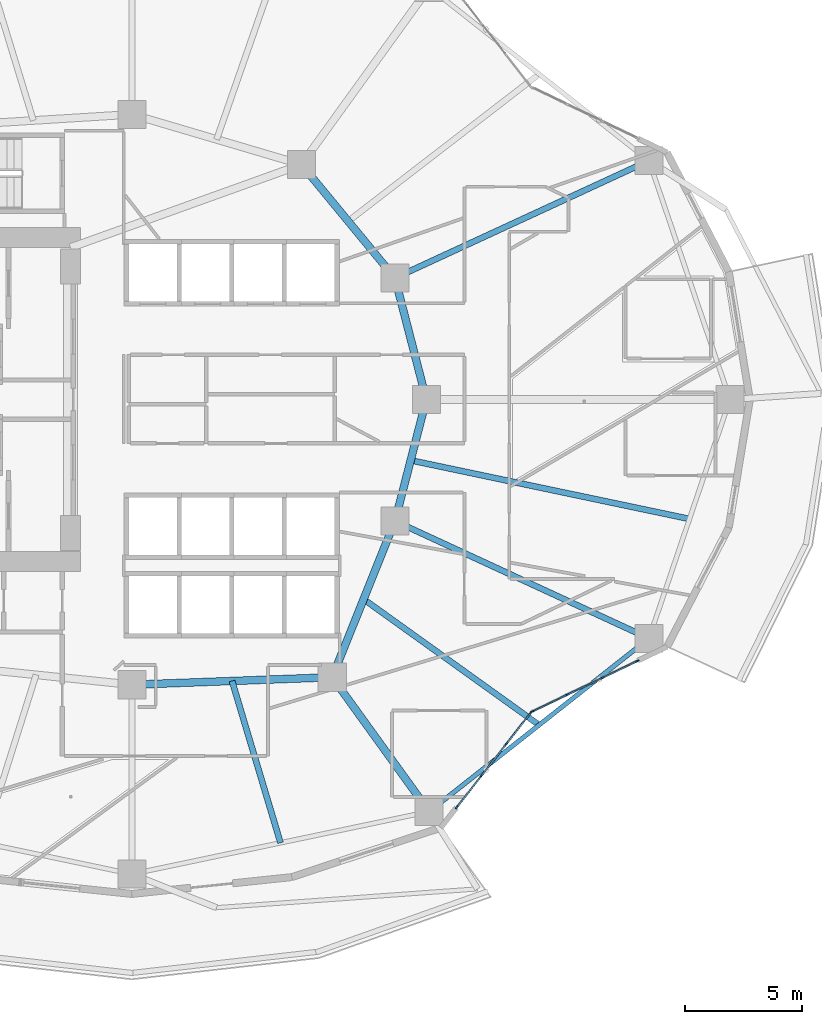
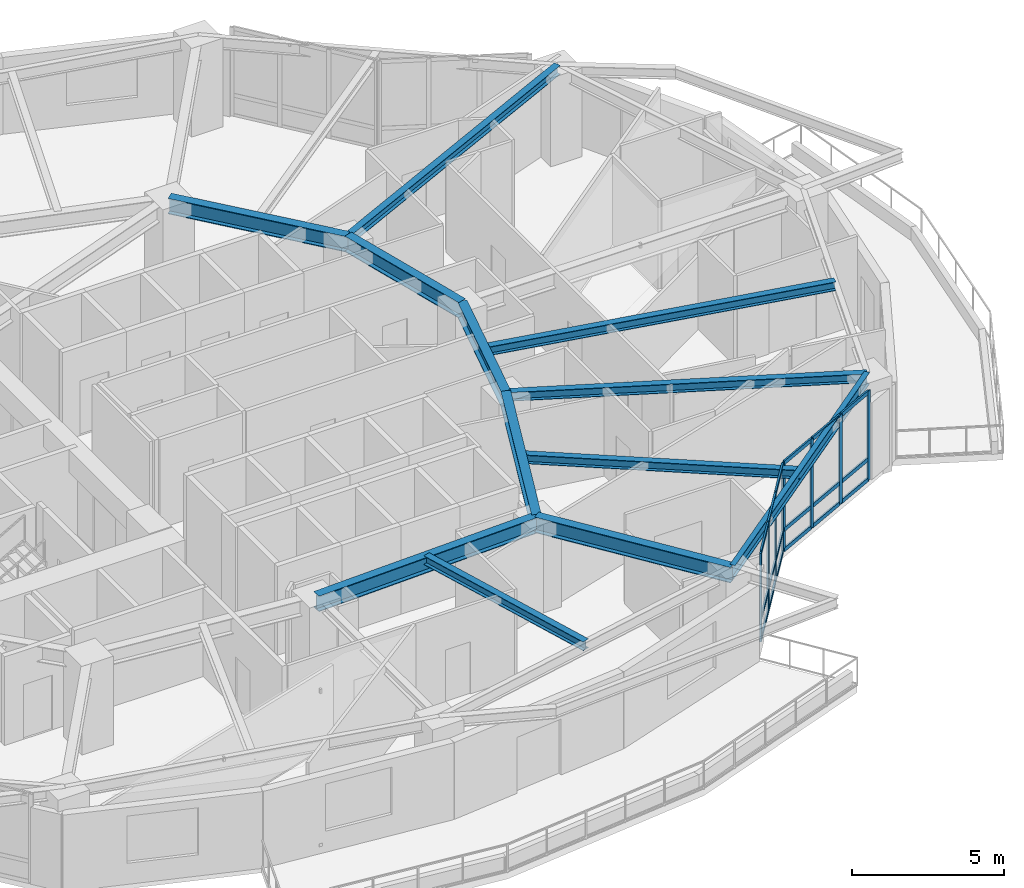
# One storey, part 4 of 19: 26 members, 12 beams, 2 elements without a shape of their own.
"""IFC4 building model written with IfcOpenShell, lengths in metres."""

from ifc_helpers import new_model, si_unit, direction, frame, origin, origin_2d, place, context, subcontext, project, spatial, rectangle, i_section, extrude, material, layer, layer_set, material_profile, profile_set, type_object, element, aggregate, save


model = new_model("IFC4")

# Units and contexts
model_context = context("Model", 3, precision=1e-05, world=origin(), true_north=direction((0.0, 1.0)))
body_context = subcontext(model_context, "Body", "Model", "MODEL_VIEW")
ifc_project = project(units=[si_unit("LENGTHUNIT", "METRE"), si_unit("AREAUNIT", "SQUARE_METRE"), si_unit("VOLUMEUNIT", "CUBIC_METRE"), si_unit("PLANEANGLEUNIT", "RADIAN"), si_unit("MASSUNIT", "GRAM", prefix="KILO")], contexts=[model_context])

# Site, building, storey
site_placement = place(None, origin())
site = spatial("IfcSite", under=ifc_project, at=site_placement, CompositionType="ELEMENT")
building_placement = place(site_placement, origin())
building = spatial("IfcBuilding", under=site, at=building_placement, Name="Kolvaren Gate Tower and Convention Centre", CompositionType="ELEMENT")
storey_placement = place(building_placement, frame((0.0, 0.0, 68.85009765625)))
storey = spatial("IfcBuildingStorey", under=building, at=storey_placement, Name="L16", CompositionType="ELEMENT", Elevation=68.85009765625)

# Curtain wall, members
ifc_material_1 = material(Name="Anodized Architectural Aluminium Alloy 6063-T6", Category="aluminium")
ifc_layer = layer(ifc_material_1, 0.159912109375)
ifc_layer_set = layer_set([ifc_layer], Name="Anodized Architectural Aluminium Alloy 6063-T6")
curtain_wall_type = type_object("IfcCurtainWallType", Name="CW-OFF-UNIT", PredefinedType="NOTDEFINED", material=ifc_layer_set)
curtain_wall_1_placement = place(storey_placement, origin())
curtain_wall_1 = element("IfcCurtainWall", 1, at=curtain_wall_1_placement, inside=storey, type_object=curtain_wall_type, Name="Tower L16 Unitised Curtain Wall CW-OFF-UNIT Bay 20", PredefinedType="NOTDEFINED")
ifc_material_profile_1 = material_profile(ifc_material_1, rectangle(XDim=0.06494140625, YDim=0.159912109375, at=origin_2d()), Name="CW-MEM-MUL-160")
ifc_profile_set_1 = profile_set([ifc_material_profile_1], Name="Anodized Architectural Aluminium Alloy 6063-T6")
member_type_1 = type_object("IfcMemberType", Name="CW-MEM-MUL-160", PredefinedType="MULLION", material=ifc_profile_set_1)
member_1_placement = place(storey_placement, frame((44.027099609375, 9.556396484375, 0.0), z_axis=(0.0, 0.0, 1.0), x_axis=(-0.787406322976, 0.61643432946, 0.0)))
member_1 = element("IfcMember", 2, at=member_1_placement, type_object=member_type_1, Name="CW-02 mullion 1", PredefinedType="MULLION", context=body_context, shape_type="SweptSolid", body=[
    extrude(rectangle(XDim=0.06494140625, YDim=0.159912109375, at=origin_2d()), origin(), (0.0, 0.0, 1.0), 3.56982421875),
])
member_2_placement = place(storey_placement, frame((45.079345703125, 10.900634765625, 0.0), z_axis=(0.0, 0.0, 1.0), x_axis=(-0.787406322976, 0.61643432946, 0.0)))
member_2 = element("IfcMember", 3, at=member_2_placement, type_object=member_type_1, Name="CW-02 mullion 2", PredefinedType="MULLION", context=body_context, shape_type="SweptSolid", body=[
    extrude(rectangle(XDim=0.06494140625, YDim=0.159912109375, at=origin_2d()), origin(), (0.0, 0.0, 1.0), 3.56982421875),
])
member_3_placement = place(storey_placement, frame((46.151611328125, 12.270263671875, 0.0), z_axis=(0.0, 0.0, 1.0), x_axis=(-0.787406322976, 0.61643432946, 0.0)))
member_3 = element("IfcMember", 4, at=member_3_placement, type_object=member_type_1, Name="CW-02 mullion 3", PredefinedType="MULLION", context=body_context, shape_type="SweptSolid", body=[
    extrude(rectangle(XDim=0.06494140625, YDim=0.159912109375, at=origin_2d()), origin(), (0.0, 0.0, 1.0), 3.56982421875),
])
member_4_placement = place(storey_placement, frame((47.203857421875, 13.6142578125, 0.0), z_axis=(0.0, 0.0, 1.0), x_axis=(-0.787406322976, 0.61643432946, 0.0)))
member_4 = element("IfcMember", 5, at=member_4_placement, type_object=member_type_1, Name="CW-02 mullion 4", PredefinedType="MULLION", context=body_context, shape_type="SweptSolid", body=[
    extrude(rectangle(XDim=0.06494140625, YDim=0.159912109375, at=origin_2d()), origin(), (0.0, 0.0, 1.0), 3.56982421875),
])

curtain_wall_2_placement = place(storey_placement, origin())
curtain_wall_2 = element("IfcCurtainWall", 6, at=curtain_wall_2_placement, inside=storey, type_object=curtain_wall_type, Name="Tower L16 Unitised Curtain Wall CW-OFF-UNIT Bay 21", PredefinedType="NOTDEFINED")
member_5_placement = place(storey_placement, frame((47.253173828125, 13.654052734375, 0.0), z_axis=(0.0, 0.0, 1.0), x_axis=(-0.433067077196, 0.901361695796, 0.0)))
member_5 = element("IfcMember", 7, at=member_5_placement, type_object=member_type_1, Name="CW-02 mullion 1", PredefinedType="MULLION", context=body_context, shape_type="SweptSolid", body=[
    extrude(rectangle(XDim=0.06494140625, YDim=0.159912109375, at=origin_2d()), origin(), (0.0, 0.0, 1.0), 3.56982421875),
])
member_6_placement = place(storey_placement, frame((48.7412109375, 14.368896484375, 0.0), z_axis=(0.0, 0.0, 1.0), x_axis=(-0.433067077196, 0.901361695796, 0.0)))
member_6 = element("IfcMember", 8, at=member_6_placement, type_object=member_type_1, Name="CW-02 mullion 2", PredefinedType="MULLION", context=body_context, shape_type="SweptSolid", body=[
    extrude(rectangle(XDim=0.06494140625, YDim=0.159912109375, at=origin_2d()), origin(), (0.0, 0.0, 1.0), 3.56982421875),
])
member_7_placement = place(storey_placement, frame((50.258544921875, 15.097900390625, 0.0), z_axis=(0.0, 0.0, 1.0), x_axis=(-0.433067077196, 0.901361695796, 0.0)))
member_7 = element("IfcMember", 9, at=member_7_placement, type_object=member_type_1, Name="CW-02 mullion 3", PredefinedType="MULLION", context=body_context, shape_type="SweptSolid", body=[
    extrude(rectangle(XDim=0.06494140625, YDim=0.159912109375, at=origin_2d()), origin(), (0.0, 0.0, 1.0), 3.56982421875),
])
member_8_placement = place(storey_placement, frame((51.74658203125, 15.812744140625, 0.0), z_axis=(0.0, 0.0, 1.0), x_axis=(-0.433067077196, 0.901361695796, 0.0)))
member_8 = element("IfcMember", 10, at=member_8_placement, type_object=member_type_1, Name="CW-02 mullion 4", PredefinedType="MULLION", context=body_context, shape_type="SweptSolid", body=[
    extrude(rectangle(XDim=0.06494140625, YDim=0.159912109375, at=origin_2d()), origin(), (0.0, 0.0, 1.0), 3.56982421875),
])

# Member
ifc_material_profile_2 = material_profile(ifc_material_1, rectangle(XDim=0.06494140625, YDim=0.159912109375, at=origin_2d()), Name="CW-MEM-TRN-160")
ifc_profile_set_2 = profile_set([ifc_material_profile_2], Name="Anodized Architectural Aluminium Alloy 6063-T6")
member_type_2 = type_object("IfcMemberType", Name="CW-MEM-TRN-160", PredefinedType="USERDEFINED", material=ifc_profile_set_2)
member_9_placement = place(storey_placement, frame((44.047119140625, 9.58203125, 0.032470703125), z_axis=(0.616428523412, 0.787410868304, 0.0), x_axis=(-0.787410868304, 0.616428523412, 0.0)))
member_9 = element("IfcMember", 11, at=member_9_placement, type_object=member_type_2, Name="CW-02 transom 1.1", ObjectType="TRANSOM", PredefinedType="USERDEFINED", context=body_context, shape_type="SweptSolid", body=[
    extrude(rectangle(XDim=0.06494140625, YDim=0.159912109375, at=origin_2d()), origin(), (0.0, 0.0, 1.0), 1.64208984375),
])

member_10_placement = place(storey_placement, frame((44.047119140625, 9.58203125, 0.849853515625), z_axis=(0.616428523412, 0.787410868304, 0.0), x_axis=(-0.787410868304, 0.616428523412, 0.0)))
member_10 = element("IfcMember", 12, at=member_10_placement, type_object=member_type_2, Name="CW-02 transom 1.2", ObjectType="TRANSOM", PredefinedType="USERDEFINED", context=body_context, shape_type="SweptSolid", body=[
    extrude(rectangle(XDim=0.06494140625, YDim=0.159912109375, at=origin_2d()), origin(), (0.0, 0.0, 1.0), 1.64208984375),
])

member_11_placement = place(storey_placement, frame((44.047119140625, 9.58203125, 3.537353515625), z_axis=(0.616428523412, 0.787410868304, 0.0), x_axis=(-0.787410868304, 0.616428523412, 0.0)))
member_11 = element("IfcMember", 13, at=member_11_placement, type_object=member_type_2, Name="CW-02 transom 1.3", ObjectType="TRANSOM", PredefinedType="USERDEFINED", context=body_context, shape_type="SweptSolid", body=[
    extrude(rectangle(XDim=0.06494140625, YDim=0.159912109375, at=origin_2d()), origin(), (0.0, 0.0, 1.0), 1.64208984375),
])

member_12_placement = place(storey_placement, frame((45.099365234375, 10.92626953125, 0.032470703125), z_axis=(0.616481234943, 0.787369599974, 0.0), x_axis=(-0.787369599974, 0.616481234943, 0.0)))
member_12 = element("IfcMember", 14, at=member_12_placement, type_object=member_type_2, Name="CW-02 transom 2.1", ObjectType="TRANSOM", PredefinedType="USERDEFINED", context=body_context, shape_type="SweptSolid", body=[
    extrude(rectangle(XDim=0.06494140625, YDim=0.159912109375, at=origin_2d()), origin(), (0.0, 0.0, 1.0), 1.67431640625),
])

member_13_placement = place(storey_placement, frame((45.099365234375, 10.92626953125, 0.849853515625), z_axis=(0.616481234943, 0.787369599974, 0.0), x_axis=(-0.787369599974, 0.616481234943, 0.0)))
member_13 = element("IfcMember", 15, at=member_13_placement, type_object=member_type_2, Name="CW-02 transom 2.2", ObjectType="TRANSOM", PredefinedType="USERDEFINED", context=body_context, shape_type="SweptSolid", body=[
    extrude(rectangle(XDim=0.06494140625, YDim=0.159912109375, at=origin_2d()), origin(), (0.0, 0.0, 1.0), 1.67431640625),
])

member_14_placement = place(storey_placement, frame((45.099365234375, 10.92626953125, 3.537353515625), z_axis=(0.616481234943, 0.787369599974, 0.0), x_axis=(-0.787369599974, 0.616481234943, 0.0)))
member_14 = element("IfcMember", 16, at=member_14_placement, type_object=member_type_2, Name="CW-02 transom 2.3", ObjectType="TRANSOM", PredefinedType="USERDEFINED", context=body_context, shape_type="SweptSolid", body=[
    extrude(rectangle(XDim=0.06494140625, YDim=0.159912109375, at=origin_2d()), origin(), (0.0, 0.0, 1.0), 1.67431640625),
])

member_15_placement = place(storey_placement, frame((46.171630859375, 12.2958984375, 0.032470703125), z_axis=(0.61650069609, 0.787354362228, 0.0), x_axis=(-0.787354362228, 0.61650069609, 0.0)))
member_15 = element("IfcMember", 17, at=member_15_placement, type_object=member_type_2, Name="CW-02 transom 3.1", ObjectType="TRANSOM", PredefinedType="USERDEFINED", context=body_context, shape_type="SweptSolid", body=[
    extrude(rectangle(XDim=0.06494140625, YDim=0.159912109375, at=origin_2d()), origin(), (0.0, 0.0, 1.0), 1.641845703125),
])

member_16_placement = place(storey_placement, frame((46.171630859375, 12.2958984375, 0.849853515625), z_axis=(0.61650069609, 0.787354362228, 0.0), x_axis=(-0.787354362228, 0.61650069609, 0.0)))
member_16 = element("IfcMember", 18, at=member_16_placement, type_object=member_type_2, Name="CW-02 transom 3.2", ObjectType="TRANSOM", PredefinedType="USERDEFINED", context=body_context, shape_type="SweptSolid", body=[
    extrude(rectangle(XDim=0.06494140625, YDim=0.159912109375, at=origin_2d()), origin(), (0.0, 0.0, 1.0), 1.641845703125),
])

member_17_placement = place(storey_placement, frame((46.171630859375, 12.2958984375, 3.537353515625), z_axis=(0.61650069609, 0.787354362228, 0.0), x_axis=(-0.787354362228, 0.61650069609, 0.0)))
member_17 = element("IfcMember", 19, at=member_17_placement, type_object=member_type_2, Name="CW-02 transom 3.3", ObjectType="TRANSOM", PredefinedType="USERDEFINED", context=body_context, shape_type="SweptSolid", body=[
    extrude(rectangle(XDim=0.06494140625, YDim=0.159912109375, at=origin_2d()), origin(), (0.0, 0.0, 1.0), 1.641845703125),
])

aggregate(curtain_wall_1, [member_1, member_2, member_3, member_4, member_9, member_10, member_11, member_12, member_13, member_14, member_15, member_16, member_17])

member_18_placement = place(storey_placement, frame((47.282470703125, 13.66796875, 0.032470703125), z_axis=(0.90136684843, 0.433056352628, 0.0), x_axis=(-0.433056352628, 0.90136684843, 0.0)))
member_18 = element("IfcMember", 20, at=member_18_placement, type_object=member_type_2, Name="CW-02 transom 1.1", ObjectType="TRANSOM", PredefinedType="USERDEFINED", context=body_context, shape_type="SweptSolid", body=[
    extrude(rectangle(XDim=0.06494140625, YDim=0.159912109375, at=origin_2d()), origin(), (0.0, 0.0, 1.0), 1.5859375),
])

member_19_placement = place(storey_placement, frame((47.282470703125, 13.66796875, 0.849853515625), z_axis=(0.90136684843, 0.433056352628, 0.0), x_axis=(-0.433056352628, 0.90136684843, 0.0)))
member_19 = element("IfcMember", 21, at=member_19_placement, type_object=member_type_2, Name="CW-02 transom 1.2", ObjectType="TRANSOM", PredefinedType="USERDEFINED", context=body_context, shape_type="SweptSolid", body=[
    extrude(rectangle(XDim=0.06494140625, YDim=0.159912109375, at=origin_2d()), origin(), (0.0, 0.0, 1.0), 1.5859375),
])

member_20_placement = place(storey_placement, frame((47.282470703125, 13.66796875, 3.537353515625), z_axis=(0.90136684843, 0.433056352628, 0.0), x_axis=(-0.433056352628, 0.90136684843, 0.0)))
member_20 = element("IfcMember", 22, at=member_20_placement, type_object=member_type_2, Name="CW-02 transom 1.3", ObjectType="TRANSOM", PredefinedType="USERDEFINED", context=body_context, shape_type="SweptSolid", body=[
    extrude(rectangle(XDim=0.06494140625, YDim=0.159912109375, at=origin_2d()), origin(), (0.0, 0.0, 1.0), 1.5859375),
])

member_21_placement = place(storey_placement, frame((48.7705078125, 14.383056640625, 0.032470703125), z_axis=(0.901405315808, 0.432976277217, 0.0), x_axis=(-0.432976277217, 0.901405315808, 0.0)))
member_21 = element("IfcMember", 23, at=member_21_placement, type_object=member_type_2, Name="CW-02 transom 2.1", ObjectType="TRANSOM", PredefinedType="USERDEFINED", context=body_context, shape_type="SweptSolid", body=[
    extrude(rectangle(XDim=0.06494140625, YDim=0.159912109375, at=origin_2d()), origin(), (0.0, 0.0, 1.0), 1.618408203125),
])

member_22_placement = place(storey_placement, frame((48.7705078125, 14.383056640625, 0.849853515625), z_axis=(0.901405315808, 0.432976277217, 0.0), x_axis=(-0.432976277217, 0.901405315808, 0.0)))
member_22 = element("IfcMember", 24, at=member_22_placement, type_object=member_type_2, Name="CW-02 transom 2.2", ObjectType="TRANSOM", PredefinedType="USERDEFINED", context=body_context, shape_type="SweptSolid", body=[
    extrude(rectangle(XDim=0.06494140625, YDim=0.159912109375, at=origin_2d()), origin(), (0.0, 0.0, 1.0), 1.618408203125),
])

member_23_placement = place(storey_placement, frame((48.7705078125, 14.383056640625, 3.537353515625), z_axis=(0.901405315808, 0.432976277217, 0.0), x_axis=(-0.432976277217, 0.901405315808, 0.0)))
member_23 = element("IfcMember", 25, at=member_23_placement, type_object=member_type_2, Name="CW-02 transom 2.3", ObjectType="TRANSOM", PredefinedType="USERDEFINED", context=body_context, shape_type="SweptSolid", body=[
    extrude(rectangle(XDim=0.06494140625, YDim=0.159912109375, at=origin_2d()), origin(), (0.0, 0.0, 1.0), 1.618408203125),
])

member_24_placement = place(storey_placement, frame((50.287841796875, 15.112060546875, 0.032470703125), z_axis=(0.90136684843, 0.433056352628, 0.0), x_axis=(-0.433056352628, 0.90136684843, 0.0)))
member_24 = element("IfcMember", 26, at=member_24_placement, type_object=member_type_2, Name="CW-02 transom 3.1", ObjectType="TRANSOM", PredefinedType="USERDEFINED", context=body_context, shape_type="SweptSolid", body=[
    extrude(rectangle(XDim=0.06494140625, YDim=0.159912109375, at=origin_2d()), origin(), (0.0, 0.0, 1.0), 1.5859375),
])

member_25_placement = place(storey_placement, frame((50.287841796875, 15.112060546875, 0.849853515625), z_axis=(0.90136684843, 0.433056352628, 0.0), x_axis=(-0.433056352628, 0.90136684843, 0.0)))
member_25 = element("IfcMember", 27, at=member_25_placement, type_object=member_type_2, Name="CW-02 transom 3.2", ObjectType="TRANSOM", PredefinedType="USERDEFINED", context=body_context, shape_type="SweptSolid", body=[
    extrude(rectangle(XDim=0.06494140625, YDim=0.159912109375, at=origin_2d()), origin(), (0.0, 0.0, 1.0), 1.5859375),
])

member_26_placement = place(storey_placement, frame((50.287841796875, 15.112060546875, 3.537353515625), z_axis=(0.90136684843, 0.433056352628, 0.0), x_axis=(-0.433056352628, 0.90136684843, 0.0)))
member_26 = element("IfcMember", 28, at=member_26_placement, type_object=member_type_2, Name="CW-02 transom 3.3", ObjectType="TRANSOM", PredefinedType="USERDEFINED", context=body_context, shape_type="SweptSolid", body=[
    extrude(rectangle(XDim=0.06494140625, YDim=0.159912109375, at=origin_2d()), origin(), (0.0, 0.0, 1.0), 1.5859375),
])

aggregate(curtain_wall_2, [member_5, member_6, member_7, member_8, member_18, member_19, member_20, member_21, member_22, member_23, member_24, member_25, member_26])

# Beams
ifc_material_2 = material(Name="Structural steel ASTM A992 Grade 345 MPa", Category="steel")
ifc_material_profile_3 = material_profile(ifc_material_2, i_section(OverallWidth=0.327880859375, OverallDepth=0.6279296875, WebThickness=0.0166015625, FlangeThickness=0.027587890625, at=origin_2d()), Name="W610X217")
ifc_profile_set_3 = profile_set([ifc_material_profile_3], Name="Structural steel ASTM A992 Grade 345 MPa")
beam_type_1 = type_object("IfcBeamType", Name="STR-BM-W610X217", PredefinedType="BEAM", material=ifc_profile_set_3)
beam_1_placement = place(storey_placement, frame((42.72509765625, 27.0, 3.255859375), z_axis=(-0.250091133936, -0.968222301296, 0.0), x_axis=(0.968222301296, -0.250091133936, 0.0)))
element("IfcBeam", 29, at=beam_1_placement, inside=storey, type_object=beam_type_1, Name="Tower L16 Primary Ring Girder G-01", PredefinedType="BEAM", context=body_context, shape_type="SweptSolid", body=[
    extrude(i_section(OverallWidth=0.327880859375, OverallDepth=0.6279296875, WebThickness=0.0166015625, FlangeThickness=0.027587890625, at=origin_2d()), origin(), (0.0, 0.0, 1.0), 5.3701171875),
])
beam_2_placement = place(storey_placement, frame((41.382080078125, 32.199462890625, 3.255859375), z_axis=(-0.635884066011, 0.771784590798, 0.0), x_axis=(-0.771784590798, -0.635884066011, 0.0)))
element("IfcBeam", 30, at=beam_2_placement, inside=storey, type_object=beam_type_1, Name="Tower L16 Primary Ring Girder G-02", PredefinedType="BEAM", context=body_context, shape_type="SweptSolid", body=[
    extrude(i_section(OverallWidth=0.327880859375, OverallDepth=0.6279296875, WebThickness=0.0166015625, FlangeThickness=0.027587890625, at=origin_2d()), origin(), (0.0, 0.0, 1.0), 6.291259765625),
])
beam_3_placement = place(storey_placement, frame((30.125, 14.800048828125, 3.255859375), z_axis=(0.999301712453, 0.037364254142, 0.0), x_axis=(-0.037364254142, 0.999301712453, 0.0)))
element("IfcBeam", 31, at=beam_3_placement, inside=storey, type_object=beam_type_1, Name="Tower L16 Primary Ring Girder G-08", PredefinedType="BEAM", context=body_context, shape_type="SweptSolid", body=[
    extrude(i_section(OverallWidth=0.327880859375, OverallDepth=0.6279296875, WebThickness=0.0166015625, FlangeThickness=0.027587890625, at=origin_2d()), origin(), (0.0, 0.0, 1.0), 8.579345703125),
])
beam_4_placement = place(storey_placement, frame((38.6982421875, 15.12060546875, 3.255859375), z_axis=(0.372811100169, 0.927907260232, 0.0), x_axis=(-0.927907260232, 0.372811100169, 0.0)))
element("IfcBeam", 32, at=beam_4_placement, inside=storey, type_object=beam_type_1, Name="Tower L16 Primary Ring Girder G-09", PredefinedType="BEAM", context=body_context, shape_type="SweptSolid", body=[
    extrude(i_section(OverallWidth=0.327880859375, OverallDepth=0.6279296875, WebThickness=0.0166015625, FlangeThickness=0.027587890625, at=origin_2d()), origin(), (0.0, 0.0, 1.0), 7.198974609375),
])
beam_5_placement = place(storey_placement, frame((42.72509765625, 27.0, 3.255859375), z_axis=(-0.250091133936, 0.968222301296, 0.0), x_axis=(-0.968222301296, -0.250091133936, 0.0)))
element("IfcBeam", 33, at=beam_5_placement, inside=storey, type_object=beam_type_1, Name="Tower L16 Primary Ring Girder G-12", PredefinedType="BEAM", context=body_context, shape_type="SweptSolid", body=[
    extrude(i_section(OverallWidth=0.327880859375, OverallDepth=0.6279296875, WebThickness=0.0166015625, FlangeThickness=0.027587890625, at=origin_2d()), origin(), (0.0, 0.0, 1.0), 5.3701171875),
])
beam_6_placement = place(storey_placement, frame((38.6982421875, 15.12060546875, 3.255859375), z_axis=(0.585212604054, -0.81087989743, 0.0), x_axis=(0.81087989743, 0.585212604054, 0.0)))
element("IfcBeam", 34, at=beam_6_placement, inside=storey, type_object=beam_type_1, Name="Tower L16 Radial Floor Girder RB-11", PredefinedType="BEAM", context=body_context, shape_type="SweptSolid", body=[
    extrude(i_section(OverallWidth=0.327880859375, OverallDepth=0.6279296875, WebThickness=0.0166015625, FlangeThickness=0.027587890625, at=origin_2d()), origin(), (0.0, 0.0, 1.0), 7.08837890625),
])
ifc_material_profile_4 = material_profile(ifc_material_2, i_section(OverallWidth=0.2548828125, OverallDepth=0.35693359375, WebThickness=0.010498046875, FlangeThickness=0.018310546875, at=origin_2d()), Name="W360X101")
ifc_profile_set_4 = profile_set([ifc_material_profile_4], Name="Structural steel ASTM A992 Grade 345 MPa")
beam_type_2 = type_object("IfcBeamType", Name="STR-JS-W360X101", PredefinedType="JOIST", material=ifc_profile_set_4)
for number, where, z_axis, x_axis, name in (
    (35, (41.382080078125, 32.199462890625, 3.391357421875), (0.907843538102, 0.419309086864, 0.0), (-0.419309086864, 0.907843538102, 0.0), "Tower L16 Radial Floor Girder RB-02"),
    (36, (41.382080078125, 21.800537109375, 3.391357421875), (0.907843538102, -0.419309086864, 0.0), (0.419309086864, 0.907843538102, 0.0), "Tower L16 Radial Floor Girder RB-12"),
):
    element("IfcBeam", number, at=place(storey_placement, frame(where, z_axis=z_axis, x_axis=x_axis)), inside=storey, type_object=beam_type_2, Name=name, PredefinedType="JOIST", context=body_context, shape_type="SweptSolid", body=[
        extrude(i_section(OverallWidth=0.2548828125, OverallDepth=0.35693359375, WebThickness=0.010498046875, FlangeThickness=0.018310546875, at=origin_2d()), origin(), (0.0, 0.0, 1.0), 11.9697265625),
    ])
beam_7_placement = place(storey_placement, frame((34.41162109375, 14.960205078125, 3.391357421875), z_axis=(0.286954287166, -0.957944276603, 0.0), x_axis=(0.957944276603, 0.286954287166, 0.0)))
element("IfcBeam", 37, at=beam_7_placement, inside=storey, type_object=beam_type_2, Name="Tower L16 Secondary Composite Floor Joist J-10.1", PredefinedType="JOIST", context=body_context, shape_type="SweptSolid", body=[
    extrude(i_section(OverallWidth=0.2548828125, OverallDepth=0.35693359375, WebThickness=0.010498046875, FlangeThickness=0.018310546875, at=origin_2d()), origin(), (0.0, 0.0, 1.0), 7.2275390625),
])
beam_8_placement = place(storey_placement, frame((40.040283203125, 18.46044921875, 3.391357421875), z_axis=(0.812660683761, -0.582737173234, 0.0), x_axis=(0.582737173234, 0.812660683761, 0.0)))
element("IfcBeam", 38, at=beam_8_placement, inside=storey, type_object=beam_type_2, Name="Tower L16 Secondary Composite Floor Joist J-11.1", PredefinedType="JOIST", context=body_context, shape_type="SweptSolid", body=[
    extrude(i_section(OverallWidth=0.2548828125, OverallDepth=0.35693359375, WebThickness=0.010498046875, FlangeThickness=0.018310546875, at=origin_2d()), origin(), (0.0, 0.0, 1.0), 9.238037109375),
])
beam_9_placement = place(storey_placement, frame((42.0537109375, 24.400146484375, 3.391357421875), z_axis=(0.978573369431, -0.205898423114, 0.0), x_axis=(0.205898423114, 0.978573369431, 0.0)))
element("IfcBeam", 39, at=beam_9_placement, inside=storey, type_object=beam_type_2, Name="Tower L16 Secondary Composite Floor Joist J-12.1", PredefinedType="JOIST", context=body_context, shape_type="SweptSolid", body=[
    extrude(i_section(OverallWidth=0.2548828125, OverallDepth=0.35693359375, WebThickness=0.010498046875, FlangeThickness=0.018310546875, at=origin_2d()), origin(), (0.0, 0.0, 1.0), 12.188232421875),
])
ifc_material_profile_5 = material_profile(ifc_material_2, i_section(OverallWidth=0.194091796875, OverallDepth=0.468994140625, WebThickness=0.0126953125, FlangeThickness=0.0205078125, at=origin_2d()), Name="W460X106")
ifc_profile_set_5 = profile_set([ifc_material_profile_5], Name="Structural steel ASTM A992 Grade 345 MPa")
beam_type_3 = type_object("IfcBeamType", Name="STR-SP-W460X106", PredefinedType="SPANDREL", material=ifc_profile_set_5)
beam_10_placement = place(storey_placement, frame((42.846435546875, 9.372802734375, 3.33544921875), z_axis=(0.785459824636, 0.618912646407, 0.0), x_axis=(-0.618912646407, 0.785459824636, 0.0)))
element("IfcBeam", 40, at=beam_10_placement, inside=storey, type_object=beam_type_3, Name="Tower L16 Perimeter Spandrel Beam SP-11", PredefinedType="SPANDREL", context=body_context, shape_type="SweptSolid", body=[
    extrude(i_section(OverallWidth=0.194091796875, OverallDepth=0.468994140625, WebThickness=0.0126953125, FlangeThickness=0.0205078125, at=origin_2d()), origin(), (0.0, 0.0, 1.0), 11.970458984375),
])

save(model, "model.ifc")
